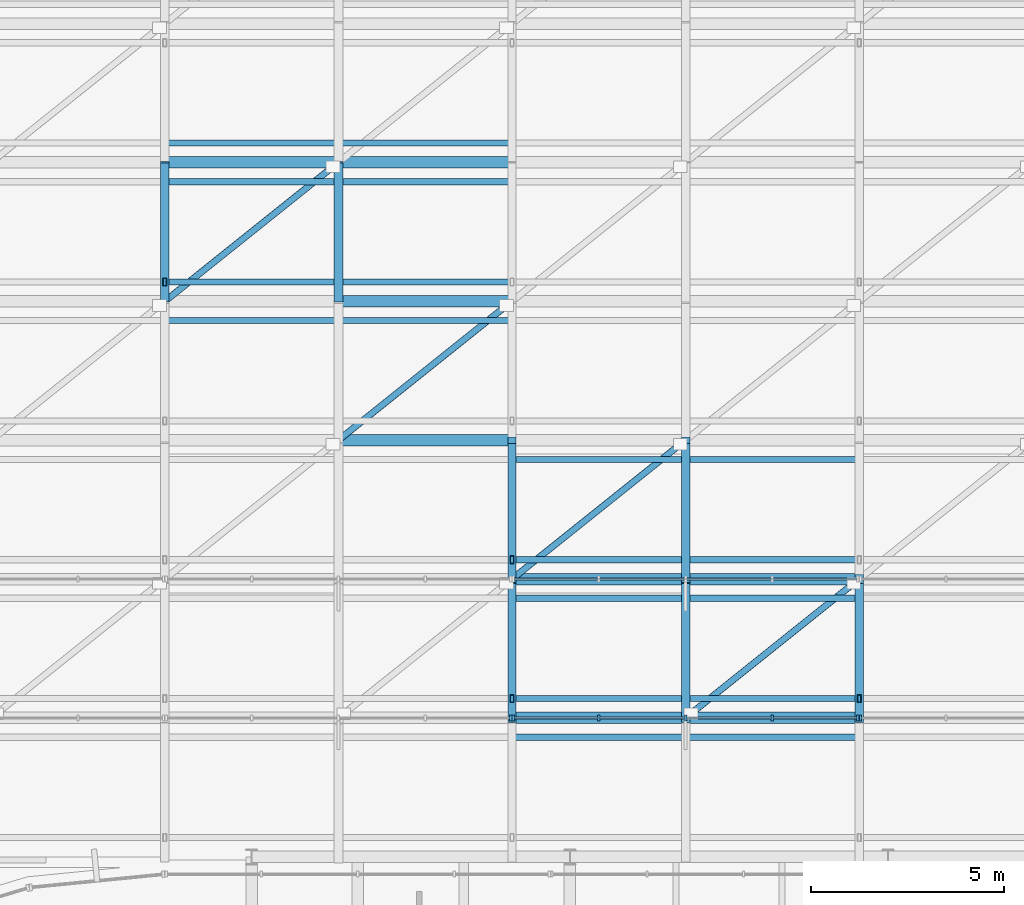
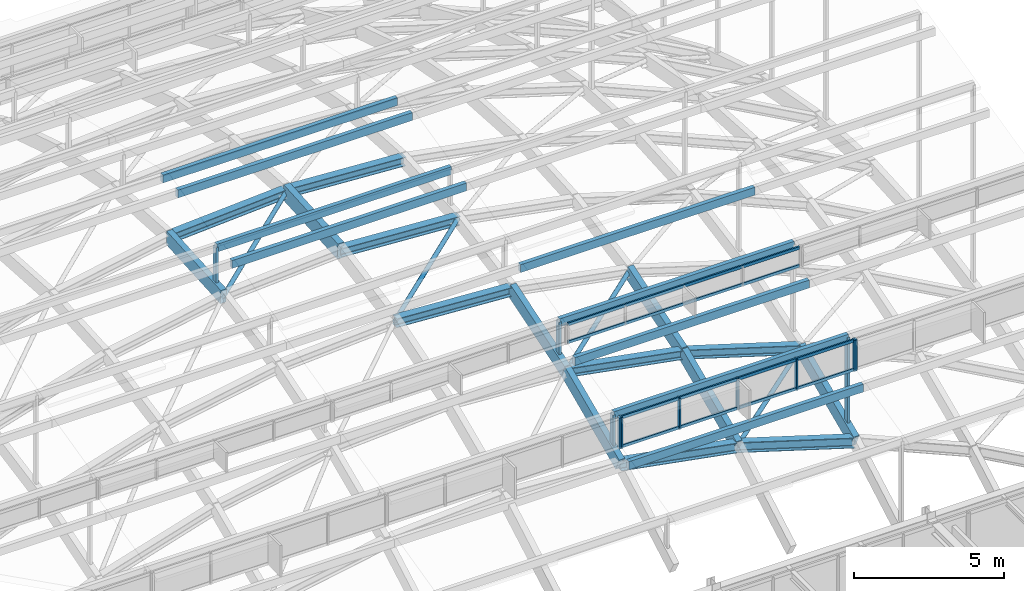
# One storey, part 21 of 69: 28 members, 15 beams, 4 elements without a shape of their own.
"""IFC4 building model written with IfcOpenShell, lengths in metres."""

from ifc_helpers import new_model, si_unit, direction, frame, origin, origin_2d, place, context, subcontext, project, spatial, rectangle, hollow_rectangle, hollow_circle, i_section, extrude, material, layer, layer_set, material_profile, profile_set, type_object, element, aggregate, save


model = new_model("IFC4")

# Units and contexts
model_context = context("Model", 3, precision=1e-05, world=origin(), true_north=direction((0.0, 1.0)))
body_context = subcontext(model_context, "Body", "Model", "MODEL_VIEW")
ifc_project = project(units=[si_unit("LENGTHUNIT", "METRE"), si_unit("AREAUNIT", "SQUARE_METRE"), si_unit("VOLUMEUNIT", "CUBIC_METRE"), si_unit("PLANEANGLEUNIT", "RADIAN"), si_unit("MASSUNIT", "GRAM", prefix="KILO")], contexts=[model_context])

# Site, building, storey
site_placement = place(None, origin())
site = spatial("IfcSite", under=ifc_project, at=site_placement, CompositionType="ELEMENT")
building_placement = place(site_placement, origin())
building = spatial("IfcBuilding", under=site, at=building_placement, Name="Montealbar Specialist Clinic", CompositionType="ELEMENT")
storey_placement = place(building_placement, frame((0.0, 0.0, 9.60009765625)))
storey = spatial("IfcBuildingStorey", under=building, at=storey_placement, Name="L02", CompositionType="ELEMENT", Elevation=9.60009765625)

# Beams
ifc_material_1 = material(Name="Steel S355", Category="steel")
ifc_material_profile_1 = material_profile(ifc_material_1, i_section(OverallWidth=0.300048828125, OverallDepth=0.360107421875, WebThickness=0.012451171875, FlangeThickness=0.0224609375, FilletRadius=0.027099609375, at=origin_2d()), Name="HEB 360", Category="steel")
ifc_profile_set_1 = profile_set([ifc_material_profile_1], Name="Steel S355")
beam_type_1 = type_object("IfcBeamType", Name="BM-GIRD-HEB360-EXT", PredefinedType="BEAM", material=ifc_profile_set_1)
beam_1_placement = place(storey_placement, frame((81.0, 52.199951171875, 8.86181640625), z_axis=(0.983332910059, 0.0, -0.181814157849), x_axis=(0.0, 1.0, 0.0)))
element("IfcBeam", 1, at=beam_1_placement, inside=storey, type_object=beam_type_1, Name="Gridshell Roof Truss Arch Rib X 2-6", PredefinedType="BEAM", context=body_context, shape_type="SweptSolid", body=[
    extrude(i_section(OverallWidth=0.300048828125, OverallDepth=0.360107421875, WebThickness=0.012451171875, FlangeThickness=0.0224609375, FilletRadius=0.027099609375, at=origin_2d()), origin(), (0.0, 0.0, 1.0), 4.576171875),
])
beam_2_placement = place(storey_placement, frame((85.5, 52.199951171875, 8.02978515625), z_axis=(0.955697132972, 0.0, -0.294351813362), x_axis=(0.0, 1.0, 0.0)))
element("IfcBeam", 2, at=beam_2_placement, inside=storey, type_object=beam_type_1, Name="Gridshell Roof Truss Arch Rib X 2-7", PredefinedType="BEAM", context=body_context, shape_type="SweptSolid", body=[
    extrude(i_section(OverallWidth=0.300048828125, OverallDepth=0.360107421875, WebThickness=0.012451171875, FlangeThickness=0.0224609375, FilletRadius=0.027099609375, at=origin_2d()), origin(), (0.0, 0.0, 1.0), 4.70849609375),
])
for number, where, z_axis, x_axis, name in (
    (3, (76.5, 55.800048828125, 10.27294921875), (0.998109468696, 0.0, -0.06146127642), (0.0, 1.0, 0.0), "Gridshell Roof Truss Arch Rib X 3-5"),
    (4, (76.5, 59.39990234375, 10.952880859375), (0.998109468696, 0.0, -0.06146127642), (0.0, 1.0, 0.0), "Gridshell Roof Truss Arch Rib X 4-5"),
    (5, (72.0, 63.0, 10.90283203125), (0.998109468696, 0.0, 0.06146127642), (0.0, 1.0, 0.0), "Gridshell Roof Truss Arch Rib X 5-4"),
    (6, (76.5, 63.0, 11.179931640625), (0.998109468696, 0.0, -0.06146127642), (0.0, 1.0, 0.0), "Gridshell Roof Truss Arch Rib X 5-5"),
):
    element("IfcBeam", number, at=place(storey_placement, frame(where, z_axis=z_axis, x_axis=x_axis)), inside=storey, type_object=beam_type_1, Name=name, PredefinedType="BEAM", context=body_context, shape_type="SweptSolid", body=[
        extrude(i_section(OverallWidth=0.300048828125, OverallDepth=0.360107421875, WebThickness=0.012451171875, FlangeThickness=0.0224609375, FilletRadius=0.027099609375, at=origin_2d()), origin(), (0.0, 0.0, 1.0), 4.508544921875),
    ])
ifc_material_profile_2 = material_profile(ifc_material_1, i_section(OverallWidth=0.300048828125, OverallDepth=0.39990234375, WebThickness=0.013427734375, FlangeThickness=0.02392578125, FilletRadius=0.027099609375, at=origin_2d()), Name="HEB 400", Category="steel")
ifc_profile_set_2 = profile_set([ifc_material_profile_2], Name="Steel S355")
beam_type_2 = type_object("IfcBeamType", Name="BM-GIRD-HEB400-EXT", PredefinedType="BEAM", material=ifc_profile_set_2)
beam_3_placement = place(storey_placement, frame((81.0, 48.60009765625, 7.27392578125), z_axis=(0.983332910059, 0.0, -0.181814157849), x_axis=(0.0, 1.0, 0.0)))
element("IfcBeam", 7, at=beam_3_placement, inside=storey, type_object=beam_type_2, Name="Gridshell Roof Truss Arch Rib X 1-6", PredefinedType="BEAM", context=body_context, shape_type="SweptSolid", body=[
    extrude(i_section(OverallWidth=0.300048828125, OverallDepth=0.39990234375, WebThickness=0.013427734375, FlangeThickness=0.02392578125, FilletRadius=0.027099609375, at=origin_2d()), origin(), (0.0, 0.0, 1.0), 4.576171875),
])
beam_4_placement = place(storey_placement, frame((85.5, 48.60009765625, 6.44189453125), z_axis=(0.955697132972, 0.0, -0.294351813362), x_axis=(0.0, 1.0, 0.0)))
element("IfcBeam", 8, at=beam_4_placement, inside=storey, type_object=beam_type_2, Name="Gridshell Roof Truss Arch Rib X 1-7", PredefinedType="BEAM", context=body_context, shape_type="SweptSolid", body=[
    extrude(i_section(OverallWidth=0.300048828125, OverallDepth=0.39990234375, WebThickness=0.013427734375, FlangeThickness=0.02392578125, FilletRadius=0.027099609375, at=origin_2d()), origin(), (0.0, 0.0, 1.0), 4.70849609375),
])
ifc_material_2 = material(Name="Glulam GL28h", Category="wood")
ifc_material_profile_3 = material_profile(ifc_material_2, rectangle(XDim=0.219970703125, YDim=0.56005859375, at=origin_2d()), Name="GL28h 220x560", Category="wood")
ifc_profile_set_3 = profile_set([ifc_material_profile_3], Name="Glulam GL28h")
beam_type_3 = type_object("IfcBeamType", Name="BM-GL-220x560-EXT", PredefinedType="BEAM", material=ifc_profile_set_3)
beam_5_placement = place(storey_placement, frame((72.0, 59.39990234375, 10.67578125), z_axis=(0.0, 0.998017130092, 0.062942895089), x_axis=(-1.0, 0.0, 0.0)))
element("IfcBeam", 9, at=beam_5_placement, inside=storey, type_object=beam_type_3, Name="Gridshell Glulam Roof Truss Rib Y 4-4", PredefinedType="BEAM", context=body_context, shape_type="SweptSolid", body=[
    extrude(rectangle(XDim=0.219970703125, YDim=0.56005859375, at=origin_2d()), origin(), (0.0, 0.0, 1.0), 3.607177734375),
])
beam_6_placement = place(storey_placement, frame((81.0, 48.60009765625, 7.27392578125), z_axis=(0.0, 0.914944084874, 0.403580625841), x_axis=(-1.0, 0.0, 0.0)))
element("IfcBeam", 10, at=beam_6_placement, inside=storey, type_object=beam_type_3, Name="Gridshell Glulam Roof Truss Rib Y 6-1", PredefinedType="BEAM", context=body_context, shape_type="SweptSolid", body=[
    extrude(rectangle(XDim=0.219970703125, YDim=0.56005859375, at=origin_2d()), origin(), (0.0, 0.0, 1.0), 3.9345703125),
])
beam_7_placement = place(storey_placement, frame((81.0, 52.199951171875, 8.86181640625), z_axis=(0.0, 0.953798460342, 0.300447161826), x_axis=(-1.0, 0.0, 0.0)))
element("IfcBeam", 11, at=beam_7_placement, inside=storey, type_object=beam_type_3, Name="Gridshell Glulam Roof Truss Rib Y 6-2", PredefinedType="BEAM", context=body_context, shape_type="SweptSolid", body=[
    extrude(rectangle(XDim=0.219970703125, YDim=0.56005859375, at=origin_2d()), origin(), (0.0, 0.0, 1.0), 3.7744140625),
])
beam_8_placement = place(storey_placement, frame((85.5, 48.60009765625, 6.44189453125), z_axis=(0.0, 0.914944084874, 0.403580625841), x_axis=(-1.0, 0.0, 0.0)))
element("IfcBeam", 12, at=beam_8_placement, inside=storey, type_object=beam_type_3, Name="Gridshell Glulam Roof Truss Rib Y 7-1", PredefinedType="BEAM", context=body_context, shape_type="SweptSolid", body=[
    extrude(rectangle(XDim=0.219970703125, YDim=0.56005859375, at=origin_2d()), origin(), (0.0, 0.0, 1.0), 3.9345703125),
])
beam_9_placement = place(storey_placement, frame((85.5, 52.199951171875, 8.02978515625), z_axis=(0.0, 0.953798460342, 0.300447161826), x_axis=(-1.0, 0.0, 0.0)))
element("IfcBeam", 13, at=beam_9_placement, inside=storey, type_object=beam_type_3, Name="Gridshell Glulam Roof Truss Rib Y 7-2", PredefinedType="BEAM", context=body_context, shape_type="SweptSolid", body=[
    extrude(rectangle(XDim=0.219970703125, YDim=0.56005859375, at=origin_2d()), origin(), (0.0, 0.0, 1.0), 3.7744140625),
])
beam_10_placement = place(storey_placement, frame((90.0, 48.60009765625, 5.055908203125), z_axis=(0.0, 0.914944084874, 0.403580625841), x_axis=(-1.0, 0.0, 0.0)))
element("IfcBeam", 14, at=beam_10_placement, inside=storey, type_object=beam_type_3, Name="Gridshell Glulam Roof Truss Rib Y 8-1", PredefinedType="BEAM", context=body_context, shape_type="SweptSolid", body=[
    extrude(rectangle(XDim=0.219970703125, YDim=0.56005859375, at=origin_2d()), origin(), (0.0, 0.0, 1.0), 3.9345703125),
])
ifc_material_profile_4 = material_profile(ifc_material_2, rectangle(XDim=0.239990234375, YDim=0.639892578125, at=origin_2d()), Name="GL28h 240x640", Category="wood")
ifc_profile_set_4 = profile_set([ifc_material_profile_4], Name="Glulam GL28h")
beam_type_4 = type_object("IfcBeamType", Name="BM-GL-240x640-EXT", PredefinedType="BEAM", material=ifc_profile_set_4)
beam_11_placement = place(storey_placement, frame((76.5, 59.39990234375, 10.952880859375), z_axis=(0.0, 0.998017130092, 0.062942895089), x_axis=(-1.0, 0.0, 0.0)))
element("IfcBeam", 15, at=beam_11_placement, inside=storey, type_object=beam_type_4, Name="Gridshell Glulam Roof Truss Rib Y 5-4", PredefinedType="BEAM", context=body_context, shape_type="SweptSolid", body=[
    extrude(rectangle(XDim=0.239990234375, YDim=0.639892578125, at=origin_2d()), origin(), (0.0, 0.0, 1.0), 3.607177734375),
])

# Curtain wall, member
ifc_material_3 = material(Name="Low-E double glazing", Category="glass")
ifc_layer_1 = layer(ifc_material_3, 0.199951171875, Name="Low-E double glazing", Category="glass")
ifc_layer_set_1 = layer_set([ifc_layer_1], Name="Low-E double glazing")
curtain_wall_type_1 = type_object("IfcCurtainWallType", Name="CW-TYPE-47", PredefinedType="NOTDEFINED", material=ifc_layer_set_1)
curtain_wall_1_placement = place(storey_placement, origin())
curtain_wall_1 = element("IfcCurtainWall", 16, at=curtain_wall_1_placement, inside=storey, type_object=curtain_wall_type_1, Name="Unitised Curtain Wall CW-L02-720-486-810-486-175", PredefinedType="NOTDEFINED")
ifc_material_4 = material(Name="Anodised aluminium EN AW-6063", Category="aluminium")
ifc_material_profile_5 = material_profile(ifc_material_4, rectangle(XDim=0.06005859375, YDim=0.159912109375, at=origin_2d()), Name="ALU 60x160", Category="aluminium")
ifc_profile_set_5 = profile_set([ifc_material_profile_5], Name="Anodised aluminium EN AW-6063")
member_type_1 = type_object("IfcMemberType", Name="CW-MUL-160", PredefinedType="MULLION", material=ifc_profile_set_5)
member_1_placement = place(storey_placement, frame((80.965087890625, 48.60009765625, 7.933837890625), z_axis=(0.0, 0.0, 1.0), x_axis=(1.0, 0.0, 0.0)))
member_1 = element("IfcMember", 17, at=member_1_placement, type_object=member_type_1, Name="Curtain Wall Mullion CW-L02-720-486-810-486-175-04", PredefinedType="MULLION", context=body_context, shape_type="SweptSolid", body=[
    extrude(rectangle(XDim=0.06005859375, YDim=0.159912109375, at=origin_2d()), origin(), (0.0, 0.0, 1.0), 1.257080078125),
])
aggregate(curtain_wall_1, [member_1])

# Curtain wall, members
curtain_wall_2_placement = place(storey_placement, origin())
curtain_wall_2 = element("IfcCurtainWall", 18, at=curtain_wall_2_placement, inside=storey, type_object=curtain_wall_type_1, Name="Unitised Curtain Wall CW-L02-810-486-900-486-175", PredefinedType="NOTDEFINED")
member_2_placement = place(storey_placement, frame((81.034912109375, 48.60009765625, 7.933837890625), z_axis=(0.0, 0.0, 1.0), x_axis=(1.0, 0.0, 0.0)))
member_2 = element("IfcMember", 19, at=member_2_placement, type_object=member_type_1, Name="Curtain Wall Mullion CW-L02-810-486-900-486-175-00", PredefinedType="MULLION", context=body_context, shape_type="SweptSolid", body=[
    extrude(rectangle(XDim=0.06005859375, YDim=0.159912109375, at=origin_2d()), origin(), (0.0, 0.0, 1.0), 1.257080078125),
])
member_3_placement = place(storey_placement, frame((83.25, 48.60009765625, 7.933837890625), z_axis=(0.0, 0.0, 1.0), x_axis=(1.0, 0.0, 0.0)))
member_3 = element("IfcMember", 20, at=member_3_placement, type_object=member_type_1, Name="Curtain Wall Mullion CW-L02-810-486-900-486-175-01", PredefinedType="MULLION", context=body_context, shape_type="SweptSolid", body=[
    extrude(rectangle(XDim=0.06005859375, YDim=0.159912109375, at=origin_2d()), origin(), (0.0, 0.0, 1.0), 1.257080078125),
])
member_4_placement = place(storey_placement, frame((85.5, 48.60009765625, 7.933837890625), z_axis=(0.0, 0.0, 1.0), x_axis=(1.0, 0.0, 0.0)))
member_4 = element("IfcMember", 21, at=member_4_placement, type_object=member_type_1, Name="Curtain Wall Mullion CW-L02-810-486-900-486-175-02", PredefinedType="MULLION", context=body_context, shape_type="SweptSolid", body=[
    extrude(rectangle(XDim=0.06005859375, YDim=0.159912109375, at=origin_2d()), origin(), (0.0, 0.0, 1.0), 1.257080078125),
])
member_5_placement = place(storey_placement, frame((87.75, 48.60009765625, 7.933837890625), z_axis=(0.0, 0.0, 1.0), x_axis=(1.0, 0.0, 0.0)))
member_5 = element("IfcMember", 22, at=member_5_placement, type_object=member_type_1, Name="Curtain Wall Mullion CW-L02-810-486-900-486-175-03", PredefinedType="MULLION", context=body_context, shape_type="SweptSolid", body=[
    extrude(rectangle(XDim=0.06005859375, YDim=0.159912109375, at=origin_2d()), origin(), (0.0, 0.0, 1.0), 1.257080078125),
])
member_6_placement = place(storey_placement, frame((89.965087890625, 48.60009765625, 7.933837890625), z_axis=(0.0, 0.0, 1.0), x_axis=(1.0, 0.0, 0.0)))
member_6 = element("IfcMember", 23, at=member_6_placement, type_object=member_type_1, Name="Curtain Wall Mullion CW-L02-810-486-900-486-175-04", PredefinedType="MULLION", context=body_context, shape_type="SweptSolid", body=[
    extrude(rectangle(XDim=0.06005859375, YDim=0.159912109375, at=origin_2d()), origin(), (0.0, 0.0, 1.0), 1.257080078125),
])

# Curtain wall, member
curtain_wall_3_placement = place(storey_placement, origin())
curtain_wall_3 = element("IfcCurtainWall", 24, at=curtain_wall_3_placement, inside=storey, type_object=curtain_wall_type_1, Name="Unitised Curtain Wall CW-L02-900-486-990-486-175", PredefinedType="NOTDEFINED")
member_7_placement = place(storey_placement, frame((90.034912109375, 48.60009765625, 7.933837890625), z_axis=(0.0, 0.0, 1.0), x_axis=(1.0, 0.0, 0.0)))
member_7 = element("IfcMember", 25, at=member_7_placement, type_object=member_type_1, Name="Curtain Wall Mullion CW-L02-900-486-990-486-175-00", PredefinedType="MULLION", context=body_context, shape_type="SweptSolid", body=[
    extrude(rectangle(XDim=0.06005859375, YDim=0.159912109375, at=origin_2d()), origin(), (0.0, 0.0, 1.0), 1.257080078125),
])
aggregate(curtain_wall_3, [member_7])

# Member
ifc_material_5 = material(Name="Powder-coated aluminium", Category="aluminium")
ifc_material_profile_6 = material_profile(ifc_material_5, rectangle(XDim=0.06005859375, YDim=0.1201171875, at=origin_2d()), Name="ALU 60x120", Category="aluminium")
ifc_profile_set_6 = profile_set([ifc_material_profile_6], Name="Powder-coated aluminium")
member_type_2 = type_object("IfcMemberType", Name="CW-TRN-120", PredefinedType="USERDEFINED", material=ifc_profile_set_6)
member_8_placement = place(storey_placement, frame((81.050048828125, 48.60009765625, 7.973876953125), z_axis=(1.0, 0.0, 0.0), x_axis=(0.0, 1.0, 0.0)))
member_8 = element("IfcMember", 26, at=member_8_placement, type_object=member_type_2, Name="Curtain Wall Transom CW-L02-810-486-900-486-175-00", ObjectType="TRANSOM", PredefinedType="USERDEFINED", context=body_context, shape_type="SweptSolid", body=[
    extrude(rectangle(XDim=0.06005859375, YDim=0.1201171875, at=origin_2d()), origin(), (0.0, 0.0, 1.0), 8.89990234375),
])

member_9_placement = place(storey_placement, frame((81.050048828125, 48.60009765625, 9.15087890625), z_axis=(1.0, 0.0, 0.0), x_axis=(0.0, 1.0, 0.0)))
member_9 = element("IfcMember", 27, at=member_9_placement, type_object=member_type_2, Name="Curtain Wall Transom CW-L02-810-486-900-486-175-01", ObjectType="TRANSOM", PredefinedType="USERDEFINED", context=body_context, shape_type="SweptSolid", body=[
    extrude(rectangle(XDim=0.06005859375, YDim=0.1201171875, at=origin_2d()), origin(), (0.0, 0.0, 1.0), 8.89990234375),
])

aggregate(curtain_wall_2, [member_2, member_3, member_4, member_5, member_6, member_8, member_9])

# Curtain wall, members
ifc_layer_2 = layer(ifc_material_3, 0.199951171875, Name="Low-E double glazing", Category="glass")
ifc_layer_set_2 = layer_set([ifc_layer_2], Name="Low-E double glazing")
curtain_wall_type_2 = type_object("IfcCurtainWallType", Name="CW-TYPE-48", PredefinedType="NOTDEFINED", material=ifc_layer_set_2)
curtain_wall_4_placement = place(storey_placement, origin())
curtain_wall_4 = element("IfcCurtainWall", 28, at=curtain_wall_4_placement, inside=storey, type_object=curtain_wall_type_2, Name="Unitised Curtain Wall CW-L02-810-522-900-522-196", PredefinedType="NOTDEFINED")
member_10_placement = place(storey_placement, frame((81.050048828125, 52.199951171875, 10.014892578125), z_axis=(1.0, 0.0, 0.0), x_axis=(0.0, 1.0, 0.0)))
member_10 = element("IfcMember", 29, at=member_10_placement, type_object=member_type_2, Name="Curtain Wall Transom CW-L02-810-522-900-522-196-00", ObjectType="TRANSOM", PredefinedType="USERDEFINED", context=body_context, shape_type="SweptSolid", body=[
    extrude(rectangle(XDim=0.06005859375, YDim=0.1201171875, at=origin_2d()), origin(), (0.0, 0.0, 1.0), 8.89990234375),
])
member_11_placement = place(storey_placement, frame((81.050048828125, 52.199951171875, 10.739013671875), z_axis=(1.0, 0.0, 0.0), x_axis=(0.0, 1.0, 0.0)))
member_11 = element("IfcMember", 30, at=member_11_placement, type_object=member_type_2, Name="Curtain Wall Transom CW-L02-810-522-900-522-196-01", ObjectType="TRANSOM", PredefinedType="USERDEFINED", context=body_context, shape_type="SweptSolid", body=[
    extrude(rectangle(XDim=0.06005859375, YDim=0.1201171875, at=origin_2d()), origin(), (0.0, 0.0, 1.0), 8.89990234375),
])
aggregate(curtain_wall_4, [member_10, member_11])

# Members
ifc_material_profile_7 = material_profile(ifc_material_1, hollow_circle(Radius=0.084228515625, WallThickness=0.008056640625, at=origin_2d()), Name="CHS 168.3x8.0", Category="steel")
ifc_profile_set_7 = profile_set([ifc_material_profile_7], Name="Steel S355")
member_type_3 = type_object("IfcMemberType", Name="MB-GS-DIAG-EXT", PredefinedType="BRACE", material=ifc_profile_set_7)
member_12_placement = place(storey_placement, frame((72.0, 59.39990234375, 10.67578125), z_axis=(0.777889550836, 0.622328521953, 0.087149626871), x_axis=(-0.624705380279, 0.780860543151, 0.0)))
element("IfcMember", 31, at=member_12_placement, inside=storey, type_object=member_type_3, Name="Gridshell Roof Brace 4-4", PredefinedType="BRACE", context=body_context, shape_type="SweptSolid", body=[
    extrude(hollow_circle(Radius=0.084228515625, WallThickness=0.008056640625, at=origin_2d()), origin(), (0.0, 0.0, 1.0), 5.784912109375),
])
member_13_placement = place(storey_placement, frame((76.5, 55.800048828125, 10.27294921875), z_axis=(0.778980306537, 0.623158887798, 0.069732937597), x_axis=(-0.624679547852, 0.780881208953, 0.0)))
element("IfcMember", 32, at=member_13_placement, inside=storey, type_object=member_type_3, Name="Gridshell Roof Brace 5-3", PredefinedType="BRACE", context=body_context, shape_type="SweptSolid", body=[
    extrude(hollow_circle(Radius=0.084228515625, WallThickness=0.008056640625, at=origin_2d()), origin(), (0.0, 0.0, 1.0), 5.77685546875),
])
member_14_placement = place(storey_placement, frame((81.0, 52.199951171875, 8.86181640625), z_axis=(0.779790524061, 0.623849341786, 0.052332946954), x_axis=(-0.624705380279, 0.780860543151, 0.0)))
element("IfcMember", 33, at=member_14_placement, inside=storey, type_object=member_type_3, Name="Gridshell Roof Brace 6-2", PredefinedType="BRACE", context=body_context, shape_type="SweptSolid", body=[
    extrude(hollow_circle(Radius=0.084228515625, WallThickness=0.008056640625, at=origin_2d()), origin(), (0.0, 0.0, 1.0), 5.770751953125),
])
member_15_placement = place(storey_placement, frame((85.5, 48.60009765625, 6.44189453125), z_axis=(0.780402367869, 0.624296490572, 0.035014798081), x_axis=(-0.624679547852, 0.780881208953, 0.0)))
element("IfcMember", 34, at=member_15_placement, inside=storey, type_object=member_type_3, Name="Gridshell Roof Brace 7-1", PredefinedType="BRACE", context=body_context, shape_type="SweptSolid", body=[
    extrude(hollow_circle(Radius=0.084228515625, WallThickness=0.008056640625, at=origin_2d()), origin(), (0.0, 0.0, 1.0), 5.766357421875),
])
ifc_material_profile_8 = material_profile(ifc_material_2, rectangle(XDim=0.159912109375, YDim=0.320068359375, at=origin_2d()), Name="GL28h 160x320", Category="wood")
ifc_profile_set_8 = profile_set([ifc_material_profile_8], Name="Glulam GL28h")
member_type_4 = type_object("IfcMemberType", Name="MB-GS-PURLIN-GL-EXT", PredefinedType="PURLIN", material=ifc_profile_set_8)
for number, where, z_axis, x_axis, name in (
    (35, (81.0, 48.10009765625, 7.548828125), (1.0, 0.0, 0.0), (0.0, 1.0, 0.0), "Gridshell Glulam Purlin 1-4-2"),
    (36, (81.0, 49.10009765625, 8.9658203125), (1.0, 0.0, 0.0), (0.0, 1.0, 0.0), "Gridshell Glulam Purlin 2-4-1"),
    (37, (81.0, 51.699951171875, 9.58984375), (1.0, 0.0, 0.0), (0.0, 1.0, 0.0), "Gridshell Glulam Purlin 2-4-2"),
    (38, (81.0, 52.699951171875, 10.553955078125), (1.0, 0.0, 0.0), (0.0, 1.0, 0.0), "Gridshell Glulam Purlin 3-4-1"),
    (39, (81.0, 55.300048828125, 11.177978515625), (1.0, 0.0, 0.0), (0.0, 1.0, 0.0), "Gridshell Glulam Purlin 3-4-2"),
    (40, (72.0, 58.89990234375, 12.31201171875), (1.0, 0.0, 0.0), (0.0, 1.0, 0.0), "Gridshell Glulam Purlin 4-3-2"),
    (41, (72.0, 59.89990234375, 12.367919921875), (1.0, 0.0, 0.0), (0.0, 1.0, 0.0), "Gridshell Glulam Purlin 5-3-1"),
    (42, (72.0, 62.5, 12.991943359375), (1.0, 0.0, 0.0), (0.0, 1.0, 0.0), "Gridshell Glulam Purlin 5-3-2"),
    (43, (72.0, 63.5, 12.991943359375), (1.0, 0.0, 0.0), (0.0, 1.0, 0.0), "Gridshell Glulam Purlin 6-3-1"),
):
    element("IfcMember", number, at=place(storey_placement, frame(where, z_axis=z_axis, x_axis=x_axis)), inside=storey, type_object=member_type_4, Name=name, PredefinedType="PURLIN", context=body_context, shape_type="SweptSolid", body=[
        extrude(rectangle(XDim=0.159912109375, YDim=0.320068359375, at=origin_2d()), origin(), (0.0, 0.0, 1.0), 9.0),
    ])
ifc_material_profile_9 = material_profile(ifc_material_1, hollow_rectangle(XDim=0.10009765625, YDim=0.199951171875, WallThickness=0.008056640625, at=origin_2d()), Name="RHS 200x100x8", Category="steel")
ifc_profile_set_9 = profile_set([ifc_material_profile_9], Name="Steel S355")
member_type_5 = type_object("IfcMemberType", Name="MB-GS-PURLIN-ST-EXT", PredefinedType="PURLIN", material=ifc_profile_set_9)
member_16_placement = place(storey_placement, frame((81.0, 49.10009765625, 7.27392578125), z_axis=(0.0, 0.0, 1.0), x_axis=(1.0, 0.0, 0.0)))
element("IfcMember", 44, at=member_16_placement, inside=storey, type_object=member_type_5, Name="Gridshell Monitor Post 2-6", PredefinedType="PURLIN", context=body_context, shape_type="SweptSolid", body=[
    extrude(hollow_rectangle(XDim=0.10009765625, YDim=0.199951171875, WallThickness=0.008056640625, at=origin_2d()), origin(), (0.0, 0.0, 1.0), 1.73388671875),
])
member_17_placement = place(storey_placement, frame((90.0, 49.10009765625, 5.055908203125), z_axis=(0.0, 0.0, 1.0), x_axis=(1.0, 0.0, 0.0)))
element("IfcMember", 45, at=member_17_placement, inside=storey, type_object=member_type_5, Name="Gridshell Monitor Post 2-8", PredefinedType="PURLIN", context=body_context, shape_type="SweptSolid", body=[
    extrude(hollow_rectangle(XDim=0.10009765625, YDim=0.199951171875, WallThickness=0.008056640625, at=origin_2d()), origin(), (0.0, 0.0, 1.0), 3.951904296875),
])
for number, where, z_axis, x_axis, name in (
    (46, (81.0, 52.699951171875, 8.86181640625), (0.0, 0.0, 1.0), (1.0, 0.0, 0.0), "Gridshell Monitor Post 3-6"),
    (47, (72.0, 59.89990234375, 10.67578125), (0.0, 0.0, 1.0), (1.0, 0.0, 0.0), "Gridshell Monitor Post 5-4"),
):
    element("IfcMember", number, at=place(storey_placement, frame(where, z_axis=z_axis, x_axis=x_axis)), inside=storey, type_object=member_type_5, Name=name, PredefinedType="PURLIN", context=body_context, shape_type="SweptSolid", body=[
        extrude(hollow_rectangle(XDim=0.10009765625, YDim=0.199951171875, WallThickness=0.008056640625, at=origin_2d()), origin(), (0.0, 0.0, 1.0), 1.734130859375),
    ])

save(model, "model.ifc")
